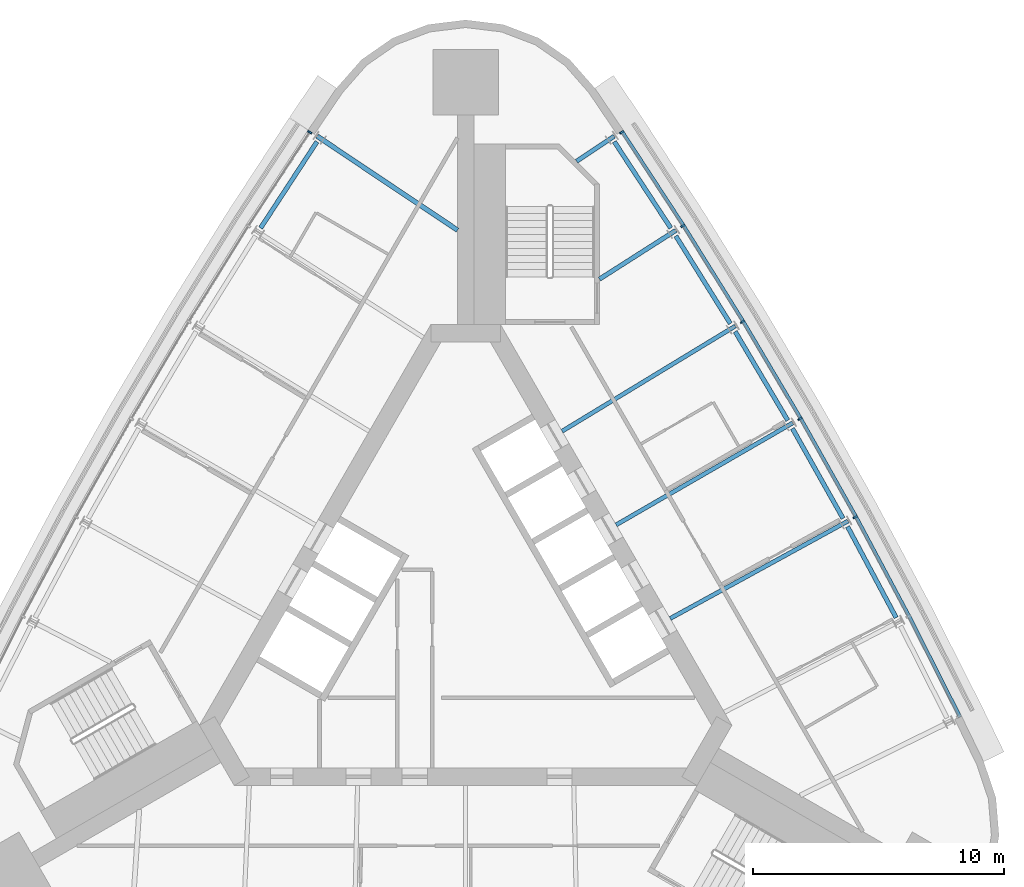
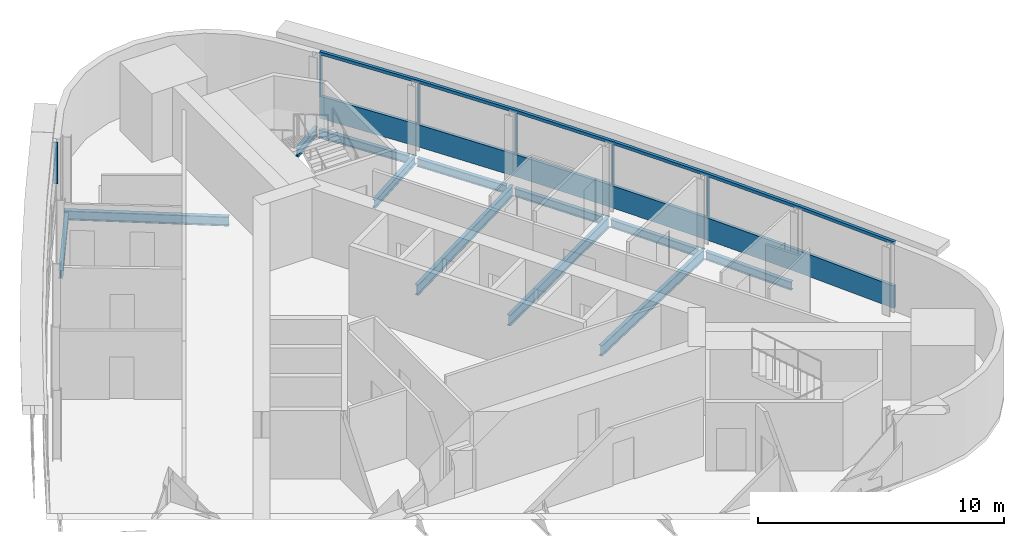
# One storey, part 7 of 14: 12 beams, 8 members, 2 elements without a shape of their own.
"""IFC4 building model written with IfcOpenShell, lengths in metres."""

from ifc_helpers import new_model, si_unit, direction, frame, origin, origin_2d, place, context, subcontext, project, spatial, polyline, rectangle, i_section, outline, extrude, material, material_profile, profile_set, type_object, element, aggregate, save


model = new_model("IFC4")

# Units and contexts
model_context = context("Model", 3, precision=1e-05, world=origin(), true_north=direction((0.0, 1.0)))
body_context = subcontext(model_context, "Body", "Model", "MODEL_VIEW")
ifc_project = project(units=[si_unit("LENGTHUNIT", "METRE"), si_unit("AREAUNIT", "SQUARE_METRE"), si_unit("VOLUMEUNIT", "CUBIC_METRE"), si_unit("PLANEANGLEUNIT", "RADIAN"), si_unit("MASSUNIT", "GRAM", prefix="KILO")], contexts=[model_context])

# Site, building, storey
site_placement = place(None, origin())
site = spatial("IfcSite", under=ifc_project, at=site_placement, CompositionType="ELEMENT")
building_placement = place(site_placement, origin())
building = spatial("IfcBuilding", under=site, at=building_placement, Name="Noor Cloister Tower", CompositionType="ELEMENT")
storey_placement = place(building_placement, frame((0.0, 0.0, 218.39990234375)))
storey = spatial("IfcBuildingStorey", under=building, at=storey_placement, Name="L56", CompositionType="ELEMENT", Elevation=218.39990234375)

# Curtain wall, member
ifc_material_1 = material(Name="Aluminium 6063-T6 anodised", Category="aluminium")
curtain_wall_type = type_object("IfcCurtainWallType", Name="Ribbon curtain wall, upper tower CW5", PredefinedType="NOTDEFINED", material=ifc_material_1)
curtain_wall_1_placement = place(storey_placement, origin())
curtain_wall_1 = element("IfcCurtainWall", 1, at=curtain_wall_1_placement, inside=storey, type_object=curtain_wall_type, Name="CW5 L56 NE run 4", PredefinedType="NOTDEFINED")
ifc_material_2 = material(Name="Aluminium 6063-T6 anodised", Category="aluminium")
member_type_1 = type_object("IfcMemberType", Name="Head transom CW5 150", PredefinedType="USERDEFINED", material=ifc_material_2)
member_1_placement = place(storey_placement, frame((0.0, 0.0, 3.150146484375)))
member_1 = element("IfcMember", 2, at=member_1_placement, type_object=member_type_1, Name="CW5 head transom", ObjectType="TRANSOM", PredefinedType="USERDEFINED", context=body_context, shape_type="SweptSolid", body=[
    extrude(outline(polyline([(19.772216796875, -4.16162109375), (17.7412109375, -0.14599609375), (15.621826171875, 3.823486328125), (13.415283203125, 7.745361328125), (11.122314453125, 11.6171875), (8.744140625, 15.437255859375), (6.2822265625, 19.2041015625), (6.1650390625, 19.12744140625), (8.626220703125, 15.362060546875), (11.00244140625, 11.54443359375), (13.2939453125, 7.67529296875), (15.4990234375, 3.75634765625), (17.616943359375, -0.210693359375), (19.647216796875, -4.224609375), (19.772216796875, -4.16162109375)])), origin(), (0.0, 0.0, 1.0), 0.14990234375),
])

curtain_wall_2_placement = place(storey_placement, origin())
curtain_wall_2 = element("IfcCurtainWall", 3, at=curtain_wall_2_placement, inside=storey, type_object=curtain_wall_type, Name="CW5 L56 NW run 1", PredefinedType="NOTDEFINED")
ifc_material_3 = material(Name="Aluminium 6063-T6 anodised", Category="aluminium")
ifc_material_profile_1 = material_profile(ifc_material_3, rectangle(XDim=0.179931640625, YDim=0.070068359375, at=origin_2d()), Name="180 x 70 mullion")
ifc_profile_set_1 = profile_set([ifc_material_profile_1], Name="Aluminium 6063-T6 anodised")
member_type_2 = type_object("IfcMemberType", Name="Mullion CW5 70 x 180", PredefinedType="MULLION", material=ifc_profile_set_1)
member_2_placement = place(storey_placement, frame((-6.217529296875, 19.119873046875, 1.10009765625), z_axis=(0.0, 0.0, 1.0), x_axis=(0.837047263939, -0.547130585813, 0.0)))
member_2 = element("IfcMember", 4, at=member_2_placement, type_object=member_type_2, Name="CW5 mullion 1", PredefinedType="MULLION", context=body_context, shape_type="SweptSolid", body=[
    extrude(rectangle(XDim=0.179931640625, YDim=0.070068359375, at=origin_2d()), origin(), (0.0, 0.0, 1.0), 2.050048828125),
])
aggregate(curtain_wall_2, [member_2])

# Member
member_3_placement = place(storey_placement, frame((15.5341796875, 3.775390625, 1.10009765625), z_axis=(0.0, 0.0, 1.0), x_axis=(-0.8768790948, -0.480710987083, 0.0)))
member_3 = element("IfcMember", 5, at=member_3_placement, type_object=member_type_2, Name="CW5 mullion 3", PredefinedType="MULLION", context=body_context, shape_type="SweptSolid", body=[
    extrude(rectangle(XDim=0.179931640625, YDim=0.070068359375, at=origin_2d()), origin(), (0.0, 0.0, 1.0), 2.050048828125),
])

member_4_placement = place(storey_placement, frame((13.32861328125, 7.6953125, 1.10009765625), z_axis=(0.0, 0.0, 1.0), x_axis=(-0.866025403784, -0.5, 0.0)))
member_4 = element("IfcMember", 6, at=member_4_placement, type_object=member_type_2, Name="CW5 mullion 4", PredefinedType="MULLION", context=body_context, shape_type="SweptSolid", body=[
    extrude(rectangle(XDim=0.179931640625, YDim=0.070068359375, at=origin_2d()), origin(), (0.0, 0.0, 1.0), 2.050048828125),
])

member_5_placement = place(storey_placement, frame((11.03662109375, 11.565185546875, 1.10009765625), z_axis=(0.0, 0.0, 1.0), x_axis=(-0.854747474092, -0.519044078603, 0.0)))
member_5 = element("IfcMember", 7, at=member_5_placement, type_object=member_type_2, Name="CW5 mullion 5", PredefinedType="MULLION", context=body_context, shape_type="SweptSolid", body=[
    extrude(rectangle(XDim=0.179931640625, YDim=0.070068359375, at=origin_2d()), origin(), (0.0, 0.0, 1.0), 2.050048828125),
])

member_6_placement = place(storey_placement, frame((8.659912109375, 15.383544921875, 1.10009765625), z_axis=(0.0, 0.0, 1.0), x_axis=(-0.843050821041, -0.537833908509, 0.0)))
member_6 = element("IfcMember", 8, at=member_6_placement, type_object=member_type_2, Name="CW5 mullion 6", PredefinedType="MULLION", context=body_context, shape_type="SweptSolid", body=[
    extrude(rectangle(XDim=0.179931640625, YDim=0.070068359375, at=origin_2d()), origin(), (0.0, 0.0, 1.0), 2.050048828125),
])

member_7_placement = place(storey_placement, frame((6.217529296875, 19.119873046875, 1.10009765625), z_axis=(0.0, 0.0, 1.0), x_axis=(-0.837047263939, -0.547130585813, 0.0)))
member_7 = element("IfcMember", 9, at=member_7_placement, type_object=member_type_2, Name="CW5 mullion 7", PredefinedType="MULLION", context=body_context, shape_type="SweptSolid", body=[
    extrude(rectangle(XDim=0.179931640625, YDim=0.070068359375, at=origin_2d()), origin(), (0.0, 0.0, 1.0), 2.050048828125),
])

# Beams
ifc_material_4 = material(Name="Steel ASTM A992 Gr 50", Category="steel")
ifc_material_profile_2 = material_profile(ifc_material_4, i_section(OverallWidth=0.177978515625, OverallDepth=0.406005859375, WebThickness=0.0078125, FlangeThickness=0.0126953125, FilletRadius=0.01025390625, at=origin_2d()), Name="W410x60")
ifc_profile_set_2 = profile_set([ifc_material_profile_2], Name="Steel ASTM A992 Gr 50")
beam_type_1 = type_object("IfcBeamType", Name="Radial beam W410x60", PredefinedType="BEAM", material=ifc_profile_set_2)
beam_1_placement = place(storey_placement, frame((8.378173828125, 15.203857421875, -0.40283203125), z_axis=(-0.843059267297, -0.537820668834, 0.0), x_axis=(0.537820668834, -0.843059267297, 0.0)))
element("IfcBeam", 10, at=beam_1_placement, inside=storey, type_object=beam_type_1, Name="Radial beam NE 06 L56", PredefinedType="BEAM", context=body_context, shape_type="SweptSolid", body=[
    extrude(i_section(OverallWidth=0.177978515625, OverallDepth=0.406005859375, WebThickness=0.0078125, FlangeThickness=0.0126953125, FilletRadius=0.01025390625, at=origin_2d()), origin(), (0.0, 0.0, 1.0), 3.60888671875),
])
beam_2_placement = place(storey_placement, frame((5.92138671875, 18.96240234375, -0.40283203125), z_axis=(-0.830940280815, -0.556361617762, 0.0), x_axis=(0.556361617762, -0.830940280815, 0.0)))
element("IfcBeam", 11, at=beam_2_placement, inside=storey, type_object=beam_type_1, Name="Radial beam NE 07 L56", PredefinedType="BEAM", context=body_context, shape_type="SweptSolid", body=[
    extrude(i_section(OverallWidth=0.177978515625, OverallDepth=0.406005859375, WebThickness=0.0078125, FlangeThickness=0.0126953125, FilletRadius=0.01025390625, at=origin_2d()), origin(), (0.0, 0.0, 1.0), 1.796142578125),
])
ifc_material_5 = material(Name="Steel ASTM A992 Gr 50", Category="steel")
ifc_material_profile_3 = material_profile(ifc_material_5, i_section(OverallWidth=0.19091796875, OverallDepth=0.45703125, WebThickness=0.009033203125, FlangeThickness=0.014404296875, FilletRadius=0.01025390625, at=origin_2d()), Name="W460x74")
ifc_profile_set_3 = profile_set([ifc_material_profile_3], Name="Steel ASTM A992 Gr 50")
beam_type_2 = type_object("IfcBeamType", Name="Radial beam W460x74", PredefinedType="BEAM", material=ifc_profile_set_3)
beam_3_placement = place(storey_placement, frame((-5.92138671875, 18.96240234375, -0.428466796875), z_axis=(0.83094443402, -0.556355414795, 0.0), x_axis=(0.556355414795, 0.83094443402, 0.0)))
element("IfcBeam", 12, at=beam_3_placement, inside=storey, type_object=beam_type_2, Name="Radial beam NW 01 L56", PredefinedType="BEAM", context=body_context, shape_type="SweptSolid", body=[
    extrude(i_section(OverallWidth=0.19091796875, OverallDepth=0.45703125, WebThickness=0.009033203125, FlangeThickness=0.014404296875, FilletRadius=0.01025390625, at=origin_2d()), origin(), (0.0, 0.0, 1.0), 6.735107421875),
])
ifc_material_6 = material(Name="Steel ASTM A992 Gr 50", Category="steel")
ifc_material_profile_4 = material_profile(ifc_material_6, i_section(OverallWidth=0.166015625, OverallDepth=0.528076171875, WebThickness=0.009765625, FlangeThickness=0.013671875, FilletRadius=0.0126953125, at=origin_2d()), Name="W530x74")
ifc_profile_set_4 = profile_set([ifc_material_profile_4], Name="Steel ASTM A992 Gr 50")
beam_type_3 = type_object("IfcBeamType", Name="Radial beam W530x74", PredefinedType="BEAM", material=ifc_profile_set_4)
beam_4_placement = place(storey_placement, frame((15.2412109375, 3.614990234375, -0.4638671875), z_axis=(-0.876874036138, -0.480720214623, 0.0), x_axis=(0.480720214623, -0.876874036138, 0.0)))
element("IfcBeam", 13, at=beam_4_placement, inside=storey, type_object=beam_type_3, Name="Radial beam NE 03 L56", PredefinedType="BEAM", context=body_context, shape_type="SweptSolid", body=[
    extrude(i_section(OverallWidth=0.166015625, OverallDepth=0.528076171875, WebThickness=0.009765625, FlangeThickness=0.013671875, FilletRadius=0.0126953125, at=origin_2d()), origin(), (0.0, 0.0, 1.0), 8.08056640625),
])
beam_5_placement = place(storey_placement, frame((13.039306640625, 7.5283203125, -0.4638671875), z_axis=(-0.866022026288, -0.50000584995, 0.0), x_axis=(0.50000584995, -0.866022026288, 0.0)))
element("IfcBeam", 14, at=beam_5_placement, inside=storey, type_object=beam_type_3, Name="Radial beam NE 04 L56", PredefinedType="BEAM", context=body_context, shape_type="SweptSolid", body=[
    extrude(i_section(OverallWidth=0.166015625, OverallDepth=0.528076171875, WebThickness=0.009765625, FlangeThickness=0.013671875, FilletRadius=0.0126953125, at=origin_2d()), origin(), (0.0, 0.0, 1.0), 8.12841796875),
])
beam_6_placement = place(storey_placement, frame((10.751220703125, 11.391845703125, -0.4638671875), z_axis=(-0.854748260186, -0.519042784084, 0.0), x_axis=(0.519042784084, -0.854748260186, 0.0)))
element("IfcBeam", 15, at=beam_6_placement, inside=storey, type_object=beam_type_3, Name="Radial beam NE 05 L56", PredefinedType="BEAM", context=body_context, shape_type="SweptSolid", body=[
    extrude(i_section(OverallWidth=0.166015625, OverallDepth=0.528076171875, WebThickness=0.009765625, FlangeThickness=0.013671875, FilletRadius=0.0126953125, at=origin_2d()), origin(), (0.0, 0.0, 1.0), 8.080322265625),
])

# Member
ifc_material_7 = material(Name="Aluminium 6063-T6 anodised", Category="aluminium")
member_type_3 = type_object("IfcMemberType", Name="Sill transom CW5 1100", PredefinedType="USERDEFINED", material=ifc_material_7)
member_8_placement = place(storey_placement, origin())
member_8 = element("IfcMember", 16, at=member_8_placement, type_object=member_type_3, Name="CW5 sill transom", ObjectType="TRANSOM", PredefinedType="USERDEFINED", context=body_context, shape_type="SweptSolid", body=[
    extrude(outline(polyline([(19.772216796875, -4.16162109375), (17.7412109375, -0.14599609375), (15.621826171875, 3.823486328125), (13.415283203125, 7.745361328125), (11.122314453125, 11.6171875), (8.744140625, 15.437255859375), (6.2822265625, 19.2041015625), (6.1650390625, 19.12744140625), (8.626220703125, 15.362060546875), (11.00244140625, 11.54443359375), (13.2939453125, 7.67529296875), (15.4990234375, 3.75634765625), (17.616943359375, -0.210693359375), (19.647216796875, -4.224609375), (19.772216796875, -4.16162109375)])), origin(), (0.0, 0.0, 1.0), 1.10009765625),
])

aggregate(curtain_wall_1, [member_3, member_4, member_5, member_6, member_7, member_8, member_1])

# Beams
ifc_material_8 = material(Name="Steel ASTM A992 Gr 50", Category="steel")
ifc_material_profile_5 = material_profile(ifc_material_8, i_section(OverallWidth=0.177978515625, OverallDepth=0.406005859375, WebThickness=0.0078125, FlangeThickness=0.0126953125, FilletRadius=0.01025390625, at=origin_2d()), Name="W410x60")
ifc_profile_set_5 = profile_set([ifc_material_profile_5], Name="Steel ASTM A992 Gr 50")
beam_type_4 = type_object("IfcBeamType", Name="Spandrel beam W410x60", PredefinedType="SPANDREL", material=ifc_profile_set_5)
beam_7_placement = place(storey_placement, frame((-5.92724609375, 18.741943359375, -0.40283203125), z_axis=(-0.547105481139, -0.837063672911, 0.0), x_axis=(0.837063672911, -0.547105481139, 0.0)))
element("IfcBeam", 17, at=beam_7_placement, inside=storey, type_object=beam_type_4, Name="Spandrel beam NW 01 L56", PredefinedType="SPANDREL", context=body_context, shape_type="SweptSolid", body=[
    extrude(i_section(OverallWidth=0.177978515625, OverallDepth=0.406005859375, WebThickness=0.0078125, FlangeThickness=0.0126953125, FilletRadius=0.01025390625, at=origin_2d()), origin(), (0.0, 0.0, 1.0), 4.11474609375),
])
beam_8_placement = place(storey_placement, frame((17.165283203125, -0.235107421875, -0.40283203125), z_axis=(-0.471000859452, 0.882132751005, 0.0), x_axis=(-0.882132751005, -0.471000859452, 0.0)))
element("IfcBeam", 18, at=beam_8_placement, inside=storey, type_object=beam_type_4, Name="Spandrel beam NE 02 L56", PredefinedType="SPANDREL", context=body_context, shape_type="SweptSolid", body=[
    extrude(i_section(OverallWidth=0.177978515625, OverallDepth=0.406005859375, WebThickness=0.0078125, FlangeThickness=0.0126953125, FilletRadius=0.01025390625, at=origin_2d()), origin(), (0.0, 0.0, 1.0), 4.114501953125),
])
for number, where, z_axis, x_axis, name in (
    (19, (15.048095703125, 3.7216796875, -0.40283203125), (-0.490396452129, 0.871499466288, 0.0), (-0.871499466288, -0.490396452129, 0.0), "Spandrel beam NE 03 L56"),
    (20, (12.84375, 7.630615234375, -0.40283203125), (-0.509548653359, 0.860441845716, 0.0), (-0.860441845716, -0.509548653359, 0.0), "Spandrel beam NE 04 L56"),
):
    element("IfcBeam", number, at=place(storey_placement, frame(where, z_axis=z_axis, x_axis=x_axis)), inside=storey, type_object=beam_type_4, Name=name, PredefinedType="SPANDREL", context=body_context, shape_type="SweptSolid", body=[
        extrude(i_section(OverallWidth=0.177978515625, OverallDepth=0.406005859375, WebThickness=0.0078125, FlangeThickness=0.0126953125, FilletRadius=0.01025390625, at=origin_2d()), origin(), (0.0, 0.0, 1.0), 4.11474609375),
    ])
beam_9_placement = place(storey_placement, frame((10.553466796875, 11.489990234375, -0.40283203125), z_axis=(-0.528440659826, 0.848970240375, 0.0), x_axis=(-0.848970240375, -0.528440659826, 0.0)))
element("IfcBeam", 21, at=beam_9_placement, inside=storey, type_object=beam_type_4, Name="Spandrel beam NE 05 L56", PredefinedType="SPANDREL", context=body_context, shape_type="SweptSolid", body=[
    extrude(i_section(OverallWidth=0.177978515625, OverallDepth=0.406005859375, WebThickness=0.0078125, FlangeThickness=0.0126953125, FilletRadius=0.01025390625, at=origin_2d()), origin(), (0.0, 0.0, 1.0), 4.114501953125),
])
beam_10_placement = place(storey_placement, frame((8.178466796875, 15.297607421875, -0.40283203125), z_axis=(-0.547105481139, 0.837063672911, 0.0), x_axis=(-0.837063672911, -0.547105481139, 0.0)))
element("IfcBeam", 22, at=beam_10_placement, inside=storey, type_object=beam_type_4, Name="Spandrel beam NE 06 L56", PredefinedType="SPANDREL", context=body_context, shape_type="SweptSolid", body=[
    extrude(i_section(OverallWidth=0.177978515625, OverallDepth=0.406005859375, WebThickness=0.0078125, FlangeThickness=0.0126953125, FilletRadius=0.01025390625, at=origin_2d()), origin(), (0.0, 0.0, 1.0), 4.11474609375),
])

save(model, "model.ifc")
